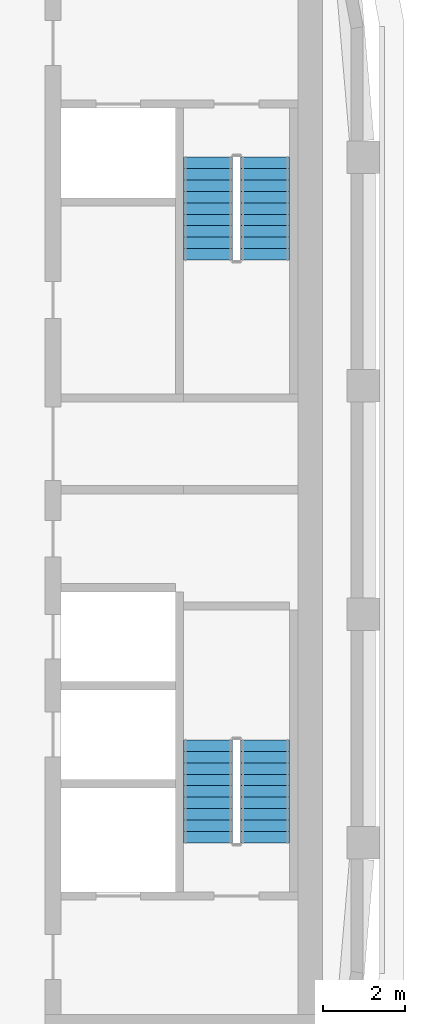
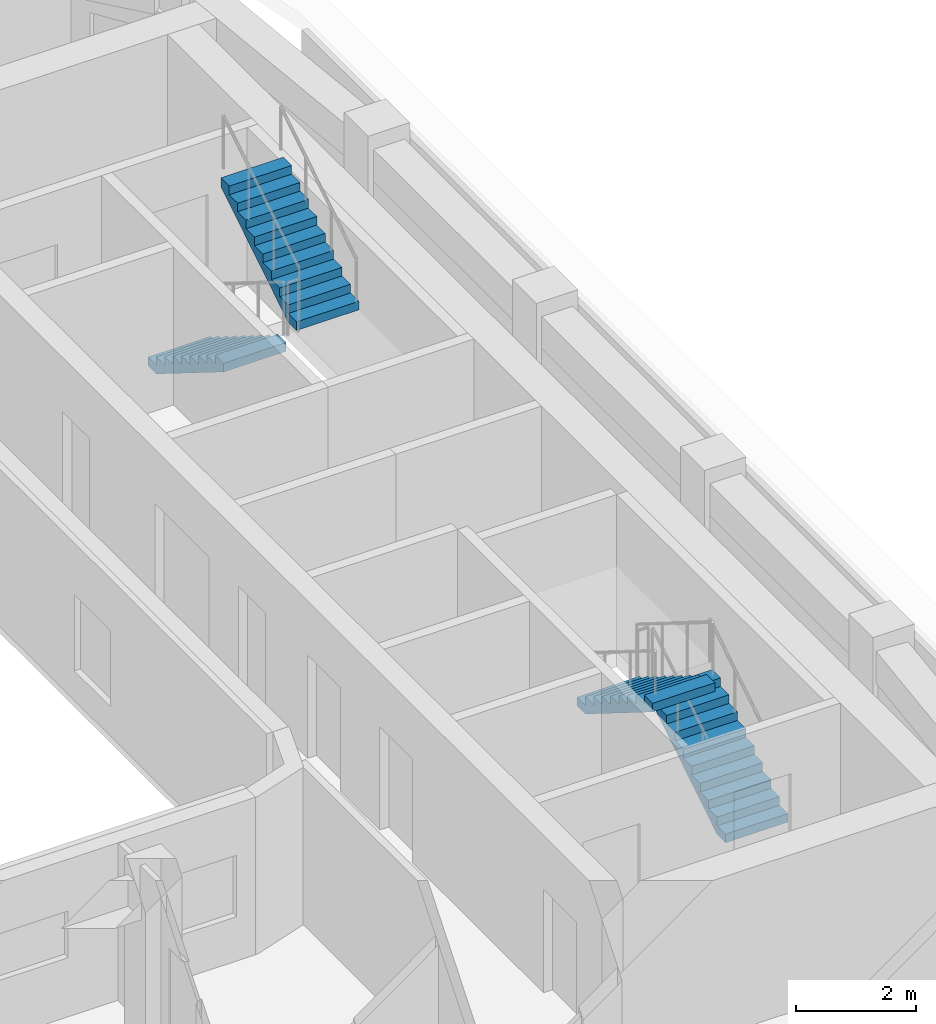
# One storey, part 9 of 16: 4 stair flights, 2 elements without a shape of their own.
"""IFC4 building model written with IfcOpenShell, lengths in metres."""

from ifc_helpers import new_model, si_unit, direction, frame, origin, place, context, subcontext, project, spatial, polyline, outline, extrude, material, type_object, element, aggregate, save


model = new_model("IFC4")

# Units and contexts
model_context = context("Model", 3, precision=1e-05, world=origin(), true_north=direction((0.0, 1.0)))
body_context = subcontext(model_context, "Body", "Model", "MODEL_VIEW")
ifc_project = project(units=[si_unit("LENGTHUNIT", "METRE"), si_unit("AREAUNIT", "SQUARE_METRE"), si_unit("VOLUMEUNIT", "CUBIC_METRE"), si_unit("PLANEANGLEUNIT", "RADIAN"), si_unit("MASSUNIT", "GRAM", prefix="KILO")], contexts=[model_context])

# Site, building, storey
site_placement = place(None, origin())
site = spatial("IfcSite", under=ifc_project, at=site_placement, CompositionType="ELEMENT")
building_placement = place(site_placement, origin())
building = spatial("IfcBuilding", under=site, at=building_placement, Name="Kiln Ring Residences", CompositionType="ELEMENT")
storey_placement = place(building_placement, frame((0.0, 0.0, 255.699951171875)))
storey = spatial("IfcBuildingStorey", under=building, at=storey_placement, Name="L66", CompositionType="ELEMENT", Elevation=255.699951171875)

# Stair, stair flights
ifc_material_1 = material(Name="Concrete C40/50", Category="concrete")
stair_type = type_object("IfcStairType", Name="CORE-STAIR", PredefinedType="HALF_TURN_STAIR", material=ifc_material_1)
placement = place(storey_placement, origin())
stair_1 = element("IfcStair", 1, at=placement, inside=storey, type_object=stair_type, Name="L66 stair E-STN", PredefinedType="HALF_TURN_STAIR")
ifc_material_2 = material(Name="Concrete C40/50", Category="concrete")
stair_flight_type = type_object("IfcStairFlightType", Name="CORE-STAIR-FLIGHT", PredefinedType="STRAIGHT", material=ifc_material_2)
stair_flight_1_placement = place(storey_placement, frame((21.39990234375, 8.39990234375, 0.0), z_axis=(0.0, 0.0, 1.0), x_axis=(0.0, -1.0, 0.0)))
stair_flight_1 = element("IfcStairFlight", 2, at=stair_flight_1_placement, type_object=stair_flight_type, Name="E-STN flight 1", NumberOfRisers=10, NumberOfTreads=9, PredefinedType="STRAIGHT", RiserHeight=0.175, TreadLength=0.28, context=body_context, shape_type="SweptSolid", body=[
    extrude(outline(polyline([(0.0, 0.0), (0.0, 0.175048828125), (0.280029296875, 0.175048828125), (0.280029296875, 0.35009765625), (0.56005859375, 0.35009765625), (0.56005859375, 0.52490234375), (0.840087890625, 0.52490234375), (0.840087890625, 0.699951171875), (1.1201171875, 0.699951171875), (1.1201171875, 0.875), (1.39990234375, 0.875), (1.39990234375, 1.050048828125), (1.679931640625, 1.050048828125), (1.679931640625, 1.22509765625), (1.9599609375, 1.22509765625), (1.9599609375, 1.39990234375), (2.239990234375, 1.39990234375), (2.239990234375, 1.574951171875), (2.52001953125, 1.574951171875), (2.52001953125, 1.75), (2.52001953125, 1.398193359375), (0.28271484375, 0.0), (0.0, 0.0)])), frame((0.0, 0.60009765625, 0.0), z_axis=(0.0, -1.0, 0.0), x_axis=(1.0, 0.0, 0.0)), (0.0, 0.0, 1.0), 1.199951171875),
])
stair_flight_2_placement = place(storey_placement, frame((22.800048828125, 5.8798828125, 1.75), z_axis=(0.0, 0.0, 1.0), x_axis=(0.0, 1.0, 0.0)))
stair_flight_2 = element("IfcStairFlight", 3, at=stair_flight_2_placement, type_object=stair_flight_type, Name="E-STN flight 2", NumberOfRisers=10, NumberOfTreads=9, PredefinedType="STRAIGHT", RiserHeight=0.175, TreadLength=0.28, context=body_context, shape_type="SweptSolid", body=[
    extrude(outline(polyline([(0.0, 0.0), (0.0, 0.175048828125), (0.280029296875, 0.175048828125), (0.280029296875, 0.35009765625), (0.56005859375, 0.35009765625), (0.56005859375, 0.52490234375), (0.840087890625, 0.52490234375), (0.840087890625, 0.699951171875), (1.1201171875, 0.699951171875), (1.1201171875, 0.875), (1.39990234375, 0.875), (1.39990234375, 1.050048828125), (1.679931640625, 1.050048828125), (1.679931640625, 1.22509765625), (1.9599609375, 1.22509765625), (1.9599609375, 1.39990234375), (2.239990234375, 1.39990234375), (2.239990234375, 1.574951171875), (2.52001953125, 1.574951171875), (2.52001953125, 1.75), (2.52001953125, 1.398193359375), (0.28271484375, 0.0), (0.0, 0.0)])), frame((0.0, 0.60009765625, 0.0), z_axis=(0.0, -1.0, 0.0), x_axis=(1.0, 0.0, 0.0)), (0.0, 0.0, 1.0), 1.199951171875),
])
aggregate(stair_1, [stair_flight_1, stair_flight_2])

stair_2 = element("IfcStair", 4, at=placement, inside=storey, type_object=stair_type, Name="L66 stair E-STS", PredefinedType="HALF_TURN_STAIR")
stair_flight_3_placement = place(storey_placement, frame((22.800048828125, -8.39990234375, 0.0), z_axis=(0.0, 0.0, 1.0), x_axis=(0.0, 1.0, 0.0)))
stair_flight_3 = element("IfcStairFlight", 5, at=stair_flight_3_placement, type_object=stair_flight_type, Name="E-STS flight 1", NumberOfRisers=10, NumberOfTreads=9, PredefinedType="STRAIGHT", RiserHeight=0.175, TreadLength=0.28, context=body_context, shape_type="SweptSolid", body=[
    extrude(outline(polyline([(0.0, 0.0), (0.0, 0.175048828125), (0.280029296875, 0.175048828125), (0.280029296875, 0.35009765625), (0.56005859375, 0.35009765625), (0.56005859375, 0.52490234375), (0.840087890625, 0.52490234375), (0.840087890625, 0.699951171875), (1.1201171875, 0.699951171875), (1.1201171875, 0.875), (1.39990234375, 0.875), (1.39990234375, 1.050048828125), (1.679931640625, 1.050048828125), (1.679931640625, 1.22509765625), (1.9599609375, 1.22509765625), (1.9599609375, 1.39990234375), (2.239990234375, 1.39990234375), (2.239990234375, 1.574951171875), (2.52001953125, 1.574951171875), (2.52001953125, 1.75), (2.52001953125, 1.398193359375), (0.28271484375, 0.0), (0.0, 0.0)])), frame((0.0, 0.60009765625, 0.0), z_axis=(0.0, -1.0, 0.0), x_axis=(1.0, 0.0, 0.0)), (0.0, 0.0, 1.0), 1.199951171875),
])
stair_flight_4_placement = place(storey_placement, frame((21.39990234375, -5.8798828125, 1.75), z_axis=(0.0, 0.0, 1.0), x_axis=(0.0, -1.0, 0.0)))
stair_flight_4 = element("IfcStairFlight", 6, at=stair_flight_4_placement, type_object=stair_flight_type, Name="E-STS flight 2", NumberOfRisers=10, NumberOfTreads=9, PredefinedType="STRAIGHT", RiserHeight=0.175, TreadLength=0.28, context=body_context, shape_type="SweptSolid", body=[
    extrude(outline(polyline([(0.0, 0.0), (0.0, 0.175048828125), (0.280029296875, 0.175048828125), (0.280029296875, 0.35009765625), (0.56005859375, 0.35009765625), (0.56005859375, 0.52490234375), (0.840087890625, 0.52490234375), (0.840087890625, 0.699951171875), (1.1201171875, 0.699951171875), (1.1201171875, 0.875), (1.39990234375, 0.875), (1.39990234375, 1.050048828125), (1.679931640625, 1.050048828125), (1.679931640625, 1.22509765625), (1.9599609375, 1.22509765625), (1.9599609375, 1.39990234375), (2.239990234375, 1.39990234375), (2.239990234375, 1.574951171875), (2.52001953125, 1.574951171875), (2.52001953125, 1.75), (2.52001953125, 1.398193359375), (0.28271484375, 0.0), (0.0, 0.0)])), frame((0.0, 0.60009765625, 0.0), z_axis=(0.0, -1.0, 0.0), x_axis=(1.0, 0.0, 0.0)), (0.0, 0.0, 1.0), 1.199951171875),
])
aggregate(stair_2, [stair_flight_3, stair_flight_4])

save(model, "model.ifc")
